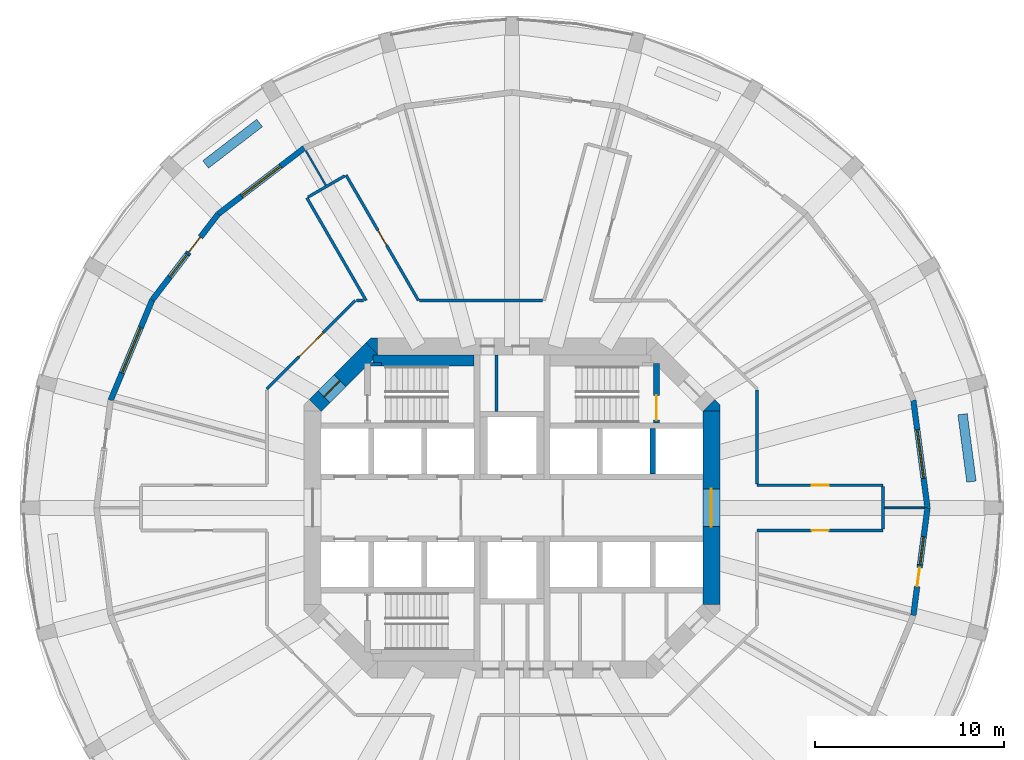
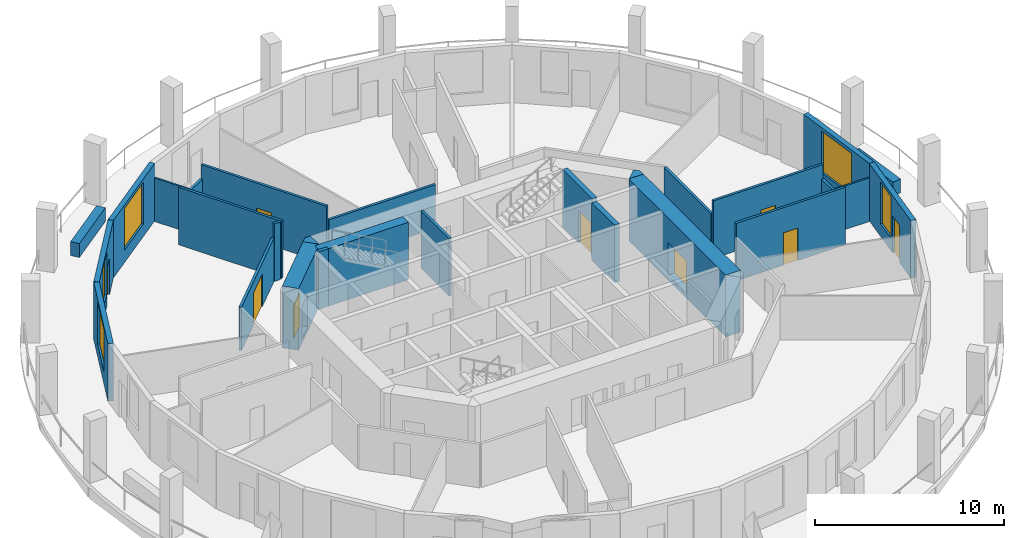
# One storey, part 5 of 9: 28 walls, 9 doors, 5 windows, 14 openings.
"""IFC4 building model written with IfcOpenShell, lengths in metres."""

from ifc_helpers import new_model, si_unit, direction, frame, frame_2d, origin, place, context, subcontext, project, spatial, polyline, rectangle, outline, extrude, material, layer, layer_set, type_object, element, fill, save


model = new_model("IFC4")

# Units and contexts
model_context = context("Model", 3, precision=1e-05, world=origin(), true_north=direction((0.0, 1.0)))
body_context = subcontext(model_context, "Body", "Model", "MODEL_VIEW")
ifc_project = project(units=[si_unit("LENGTHUNIT", "METRE"), si_unit("AREAUNIT", "SQUARE_METRE"), si_unit("VOLUMEUNIT", "CUBIC_METRE"), si_unit("PLANEANGLEUNIT", "RADIAN"), si_unit("MASSUNIT", "GRAM", prefix="KILO")], contexts=[model_context])

# Site, building, storey
site_placement = place(None, origin())
site = spatial("IfcSite", under=ifc_project, at=site_placement, CompositionType="ELEMENT")
building_placement = place(site_placement, origin())
building = spatial("IfcBuilding", under=site, at=building_placement, Name="Torre Triforio", CompositionType="ELEMENT")
storey_placement = place(building_placement, frame((0.0, 0.0, 98.60009765625)))
storey = spatial("IfcBuildingStorey", under=building, at=storey_placement, Name="L21", CompositionType="ELEMENT", Elevation=98.60009765625)

# Wall, opening, door
ifc_material_1 = material(Name="Concrete C60", Category="concrete")
ifc_layer_1 = layer(ifc_material_1, 0.89990234375)
ifc_layer_set_1 = layer_set([ifc_layer_1], Name="Concrete C60")
wall_type_1 = type_object("IfcWallType", Name="Core wall 900 mm C60 EI 120", PredefinedType="SHEAR", material=ifc_layer_set_1)
wall_1_placement = place(storey_placement, frame((10.550048828125, -5.1298828125, -0.280029296875), z_axis=(0.0, 0.0, 1.0), x_axis=(0.0, 1.0, 0.0)))
wall_1 = element("IfcWall", 1, at=wall_1_placement, inside=storey, type_object=wall_type_1, Name="Core wall", PredefinedType="SHEAR", context=body_context, shape_type="SweptSolid", body=[
    extrude(rectangle(XDim=10.259765625, YDim=0.89990234375, at=frame_2d((5.1298828125, 0.0))), origin(), (0.0, 0.0, 1.0), 4.0),
])
opening_1_placement = place(wall_1_placement, frame((4.1298828125, 0.0, 0.280029296875)))
opening_1 = element("IfcOpeningElement", 2, at=opening_1_placement, cuts=wall_1, Name="Opening E-RING", PredefinedType="OPENING", context=body_context, shape_type="SweptSolid", body=[
    extrude(rectangle(XDim=2.0, YDim=2.10009765625, at=frame_2d((1.0, 1.050048828125))), frame((0.0, 0.4599609375, 0.0), z_axis=(0.0, -1.0, 0.0), x_axis=(1.0, 0.0, 0.0)), (0.0, 0.0, 1.0), 0.919921875),
])
ifc_material_2 = material(Name="Hollow metal fire door leaf")
door_type_1 = type_object("IfcDoorType", Name="Lobby door 2000 x 2100 EI 60", OperationType="DOUBLE_DOOR_SINGLE_SWING", PredefinedType="DOOR", material=ifc_material_2)
door_1_placement = place(opening_1_placement, origin())
door_1 = element("IfcDoor", 3, at=door_1_placement, inside=storey, type_object=door_type_1, Name="Core door E-RING", OperationType="DOUBLE_DOOR_SINGLE_SWING", OverallHeight=2.10009765625, OverallWidth=2.0, PredefinedType="DOOR", context=body_context, shape_type="SweptSolid", body=[
    extrude(rectangle(XDim=2.0, YDim=2.10009765625, at=frame_2d((1.0, 1.050048828125))), frame((0.0, 0.02490234375, 0.0), z_axis=(0.0, -1.0, 0.0), x_axis=(1.0, 0.0, 0.0)), (0.0, 0.0, 1.0), 0.050048828125),
])
fill(opening_1, door_1)

wall_2_placement = place(storey_placement, frame((-10.418212890625, 5.418212890625, -0.280029296875), z_axis=(0.0, 0.0, 1.0), x_axis=(0.707106781187, 0.707106781187, 0.0)))
wall_2 = element("IfcWall", 4, at=wall_2_placement, inside=storey, type_object=wall_type_1, Name="Core wall", PredefinedType="SHEAR", context=body_context, shape_type="SweptSolid", body=[
    extrude(rectangle(XDim=4.24267578125, YDim=0.89990234375, at=frame_2d((2.121337890625, 0.0))), origin(), (0.0, 0.0, 1.0), 4.0),
])
opening_2_placement = place(wall_2_placement, frame((0.64990234375, 0.0, 0.280029296875)))
opening_2 = element("IfcOpeningElement", 5, at=opening_2_placement, cuts=wall_2, Name="Opening ST1-EXIT", PredefinedType="OPENING", context=body_context, shape_type="SweptSolid", body=[
    extrude(rectangle(XDim=1.199951171875, YDim=2.10009765625, at=frame_2d((0.60009765625, 1.050048828125))), frame((0.0, 0.4599609375, 0.0), z_axis=(0.0, -1.0, 0.0), x_axis=(1.0, 0.0, 0.0)), (0.0, 0.0, 1.0), 0.919921875),
])
door_type_2 = type_object("IfcDoorType", Name="Stair lobby door 1200 x 2100 EI 60", OperationType="NOTDEFINED", PredefinedType="DOOR", material=ifc_material_2)
door_2_placement = place(opening_2_placement, origin())
door_2 = element("IfcDoor", 6, at=door_2_placement, inside=storey, type_object=door_type_2, Name="Core door ST1-EXIT", OperationType="SINGLE_SWING_RIGHT", OverallHeight=2.10009765625, OverallWidth=1.199951171875, PredefinedType="DOOR", context=body_context, shape_type="SweptSolid", body=[
    extrude(rectangle(XDim=1.199951171875, YDim=2.10009765625, at=frame_2d((0.60009765625, 1.050048828125))), frame((0.0, 0.02490234375, 0.0), z_axis=(0.0, -1.0, 0.0), x_axis=(1.0, 0.0, 0.0)), (0.0, 0.0, 1.0), 0.050048828125),
])
fill(opening_2, door_2)

# Walls
wall_3_placement = place(storey_placement, frame((0.0, 0.0, -0.280029296875)))
element("IfcWall", 7, at=wall_3_placement, inside=storey, type_object=wall_type_1, Name="Core wall", PredefinedType="SHEAR", context=body_context, shape_type="SweptSolid", body=[
    extrude(outline(polyline([(11.0, 5.472900390625), (11.0, 5.1298828125), (10.1298828125, 5.1298828125), (10.736328125, 5.736328125), (11.0, 5.472900390625)])), origin(), (0.0, 0.0, 1.0), 4.0),
])
wall_4_placement = place(storey_placement, frame((0.0, 0.0, -0.280029296875)))
element("IfcWall", 8, at=wall_4_placement, inside=storey, type_object=wall_type_1, Name="Core wall", PredefinedType="SHEAR", context=body_context, shape_type="SweptSolid", body=[
    extrude(outline(polyline([(-7.472900390625, 9.0), (-7.1298828125, 9.0), (-7.1298828125, 8.1298828125), (-7.736328125, 8.736328125), (-7.472900390625, 9.0)])), origin(), (0.0, 0.0, 1.0), 4.0),
])

# Wall, opening, door
ifc_material_3 = material(Name="Plasterboard on metal studs")
ifc_layer_2 = layer(ifc_material_3, 0.14990234375)
ifc_layer_set_2 = layer_set([ifc_layer_2], Name="Plasterboard on metal studs")
wall_type_2 = type_object("IfcWallType", Name="Corridor and tenancy wall 150 mm EI 60", PredefinedType="PARTITIONING", material=ifc_layer_set_2)
wall_5_placement = place(storey_placement, frame((-12.97509765625, 6.291015625, 0.0), z_axis=(0.0, 0.0, 1.0), x_axis=(0.707106781187, 0.707106781187, 0.0)))
wall_5 = element("IfcWall", 9, at=wall_5_placement, inside=storey, type_object=wall_type_2, Name="Partition 7", PredefinedType="PARTITIONING", context=body_context, shape_type="SweptSolid", body=[
    extrude(rectangle(XDim=6.624267578125, YDim=0.14990234375, at=frame_2d((3.31201171875, 0.0))), origin(), (0.0, 0.0, 1.0), 2.81982421875),
])
opening_3_placement = place(wall_5_placement, frame((2.412109375, 0.0, 0.0)))
opening_3 = element("IfcOpeningElement", 10, at=opening_3_placement, cuts=wall_5, Name="Opening N7-01", PredefinedType="OPENING", context=body_context, shape_type="SweptSolid", body=[
    extrude(rectangle(XDim=1.800048828125, YDim=2.10009765625, at=frame_2d((0.89990234375, 1.050048828125))), frame((0.0, 0.0849609375, 0.0), z_axis=(0.0, -1.0, 0.0), x_axis=(1.0, 0.0, 0.0)), (0.0, 0.0, 1.0), 0.169921875),
])
ifc_material_4 = material(Name="Timber", Category="wood")
door_type_3 = type_object("IfcDoorType", Name="Door 1800 x 2100 double leaf EI 30", OperationType="DOUBLE_DOOR_SINGLE_SWING", PredefinedType="DOOR", material=ifc_material_4)
door_3_placement = place(opening_3_placement, origin())
door_3 = element("IfcDoor", 11, at=door_3_placement, inside=storey, type_object=door_type_3, Name="Door N7-01", OperationType="DOUBLE_DOOR_SINGLE_SWING", OverallHeight=2.10009765625, OverallWidth=1.800048828125, PredefinedType="DOOR", context=body_context, shape_type="SweptSolid", body=[
    extrude(rectangle(XDim=1.800048828125, YDim=2.10009765625, at=frame_2d((0.89990234375, 1.050048828125))), frame((0.0, 0.02490234375, 0.0), z_axis=(0.0, -1.0, 0.0), x_axis=(1.0, 0.0, 0.0)), (0.0, 0.0, 1.0), 0.050048828125),
])
fill(opening_3, door_3)

# Walls
wall_6_placement = place(storey_placement, frame((-8.23828125, 10.97509765625, 0.0), z_axis=(0.0, 0.0, 1.0), x_axis=(1.0, 0.0, 0.0)))
element("IfcWall", 12, at=wall_6_placement, inside=storey, type_object=wall_type_2, Name="Partition 8", PredefinedType="PARTITIONING", context=body_context, shape_type="SweptSolid", body=[
    extrude(rectangle(XDim=0.38623046875, YDim=0.14990234375, at=frame_2d((0.193115234375, 0.0))), origin(), (0.0, 0.0, 1.0), 3.719970703125),
])
wall_7_placement = place(storey_placement, frame((-7.72216796875, 10.97509765625, 0.0), z_axis=(0.0, 0.0, 1.0), x_axis=(-0.499988183684, 0.86603222583, 0.0)))
element("IfcWall", 13, at=wall_7_placement, inside=storey, type_object=wall_type_2, Name="Partition 9", PredefinedType="PARTITIONING", context=body_context, shape_type="SweptSolid", body=[
    extrude(rectangle(XDim=6.282958984375, YDim=0.14990234375, at=frame_2d((3.1416015625, 0.0))), origin(), (0.0, 0.0, 1.0), 3.719970703125),
])
wall_8_placement = place(storey_placement, frame((-10.798583984375, 16.453857421875, 0.0), z_axis=(0.0, 0.0, 1.0), x_axis=(0.866017533419, 0.500013631625, 0.0)))
element("IfcWall", 14, at=wall_8_placement, inside=storey, type_object=wall_type_2, Name="Partition 10", PredefinedType="PARTITIONING", context=body_context, shape_type="SweptSolid", body=[
    extrude(rectangle(XDim=2.25, YDim=0.14990234375, at=frame_2d((1.125, 0.0))), origin(), (0.0, 0.0, 1.0), 2.81982421875),
])

# Wall, opening, door
wall_9_placement = place(storey_placement, frame((-8.78515625, 17.6162109375, 0.0), z_axis=(0.0, 0.0, 1.0), x_axis=(0.500021918639, -0.866012748683, 0.0)))
wall_9 = element("IfcWall", 15, at=wall_9_placement, inside=storey, type_object=wall_type_2, Name="Partition 11", PredefinedType="PARTITIONING", context=body_context, shape_type="SweptSolid", body=[
    extrude(rectangle(XDim=7.668701171875, YDim=0.14990234375, at=frame_2d((3.83447265625, 0.0))), origin(), (0.0, 0.0, 1.0), 3.719970703125),
])
opening_4_placement = place(wall_9_placement, frame((3.38427734375, 0.0, 0.0)))
opening_4 = element("IfcOpeningElement", 16, at=opening_4_placement, cuts=wall_9, Name="Opening N7-14", PredefinedType="OPENING", context=body_context, shape_type="SweptSolid", body=[
    extrude(rectangle(XDim=0.89990234375, YDim=2.10009765625, at=frame_2d((0.449951171875, 1.050048828125))), frame((0.0, 0.0849609375, 0.0), z_axis=(0.0, -1.0, 0.0), x_axis=(1.0, 0.0, 0.0)), (0.0, 0.0, 1.0), 0.169921875),
])
door_type_4 = type_object("IfcDoorType", Name="Door 900 x 2100 single leaf EI 30", OperationType="NOTDEFINED", PredefinedType="DOOR", material=ifc_material_4)
door_4_placement = place(opening_4_placement, origin())
door_4 = element("IfcDoor", 17, at=door_4_placement, inside=storey, type_object=door_type_4, Name="Door N7-14", OperationType="SINGLE_SWING_RIGHT", OverallHeight=2.10009765625, OverallWidth=0.89990234375, PredefinedType="DOOR", context=body_context, shape_type="SweptSolid", body=[
    extrude(rectangle(XDim=0.89990234375, YDim=2.10009765625, at=frame_2d((0.449951171875, 1.050048828125))), frame((0.0, 0.02490234375, 0.0), z_axis=(0.0, -1.0, 0.0), x_axis=(1.0, 0.0, 0.0)), (0.0, 0.0, 1.0), 0.050048828125),
])
fill(opening_4, door_4)

# Walls
wall_10_placement = place(storey_placement, frame((-4.8857421875, 10.97509765625, 0.0), z_axis=(0.0, 0.0, 1.0), x_axis=(1.0, 0.0, 0.0)))
element("IfcWall", 18, at=wall_10_placement, inside=storey, type_object=wall_type_2, Name="Partition 12", PredefinedType="PARTITIONING", context=body_context, shape_type="SweptSolid", body=[
    extrude(rectangle(XDim=6.51171875, YDim=0.14990234375, at=frame_2d((3.255859375, 0.0))), origin(), (0.0, 0.0, 1.0), 2.81982421875),
])
wall_11_placement = place(storey_placement, frame((12.97509765625, 6.23828125, 0.0), z_axis=(0.0, 0.0, 1.0), x_axis=(0.0, -1.0, 0.0)))
element("IfcWall", 19, at=wall_11_placement, inside=storey, type_object=wall_type_2, Name="Partition 20", PredefinedType="PARTITIONING", context=body_context, shape_type="SweptSolid", body=[
    extrude(rectangle(XDim=4.96337890625, YDim=0.14990234375, at=frame_2d((2.481689453125, 0.0))), origin(), (0.0, 0.0, 1.0), 2.81982421875),
])

# Wall, opening, door
wall_12_placement = place(storey_placement, frame((12.97509765625, 1.199951171875, 0.0), z_axis=(0.0, 0.0, 1.0), x_axis=(1.0, 0.0, 0.0)))
wall_12 = element("IfcWall", 20, at=wall_12_placement, inside=storey, type_object=wall_type_2, Name="Partition 21", PredefinedType="PARTITIONING", context=body_context, shape_type="SweptSolid", body=[
    extrude(rectangle(XDim=6.673583984375, YDim=0.14990234375, at=frame_2d((3.3369140625, 0.0))), origin(), (0.0, 0.0, 1.0), 3.719970703125),
])
opening_5_placement = place(wall_12_placement, frame((2.886962890625, 0.0, 0.0)))
opening_5 = element("IfcOpeningElement", 21, at=opening_5_placement, cuts=wall_12, Name="Opening N7-09", PredefinedType="OPENING", context=body_context, shape_type="SweptSolid", body=[
    extrude(rectangle(XDim=0.89990234375, YDim=2.10009765625, at=frame_2d((0.449951171875, 1.050048828125))), frame((0.0, 0.0849609375, 0.0), z_axis=(0.0, -1.0, 0.0), x_axis=(1.0, 0.0, 0.0)), (0.0, 0.0, 1.0), 0.169921875),
])
door_5_placement = place(opening_5_placement, origin())
door_5 = element("IfcDoor", 22, at=door_5_placement, inside=storey, type_object=door_type_4, Name="Door N7-09", OperationType="SINGLE_SWING_RIGHT", OverallHeight=2.10009765625, OverallWidth=0.89990234375, PredefinedType="DOOR", context=body_context, shape_type="SweptSolid", body=[
    extrude(rectangle(XDim=0.89990234375, YDim=2.10009765625, at=frame_2d((0.449951171875, 1.050048828125))), frame((0.0, 0.02490234375, 0.0), z_axis=(0.0, -1.0, 0.0), x_axis=(1.0, 0.0, 0.0)), (0.0, 0.0, 1.0), 0.050048828125),
])
fill(opening_5, door_5)

# Wall
wall_13_placement = place(storey_placement, frame((19.648681640625, 1.125, 0.0), z_axis=(0.0, 0.0, 1.0), x_axis=(0.0, -1.0, 0.0)))
element("IfcWall", 23, at=wall_13_placement, inside=storey, type_object=wall_type_2, Name="Partition 22", PredefinedType="PARTITIONING", context=body_context, shape_type="SweptSolid", body=[
    extrude(rectangle(XDim=2.25, YDim=0.14990234375, at=frame_2d((1.125, 0.0))), origin(), (0.0, 0.0, 1.0), 2.81982421875),
])

# Wall, opening, door
wall_14_placement = place(storey_placement, frame((19.648681640625, -1.199951171875, 0.0), z_axis=(0.0, 0.0, 1.0), x_axis=(-1.0, 0.0, 0.0)))
wall_14 = element("IfcWall", 24, at=wall_14_placement, inside=storey, type_object=wall_type_2, Name="Partition 23", PredefinedType="PARTITIONING", context=body_context, shape_type="SweptSolid", body=[
    extrude(rectangle(XDim=6.673583984375, YDim=0.14990234375, at=frame_2d((3.3369140625, 0.0))), origin(), (0.0, 0.0, 1.0), 3.719970703125),
])
opening_6_placement = place(wall_14_placement, frame((2.886962890625, 0.0, 0.0)))
opening_6 = element("IfcOpeningElement", 25, at=opening_6_placement, cuts=wall_14, Name="Opening N7-08", PredefinedType="OPENING", context=body_context, shape_type="SweptSolid", body=[
    extrude(rectangle(XDim=0.89990234375, YDim=2.10009765625, at=frame_2d((0.449951171875, 1.050048828125))), frame((0.0, 0.0849609375, 0.0), z_axis=(0.0, -1.0, 0.0), x_axis=(1.0, 0.0, 0.0)), (0.0, 0.0, 1.0), 0.169921875),
])
door_6_placement = place(opening_6_placement, origin())
door_6 = element("IfcDoor", 26, at=door_6_placement, inside=storey, type_object=door_type_4, Name="Door N7-08", OperationType="SINGLE_SWING_RIGHT", OverallHeight=2.10009765625, OverallWidth=0.89990234375, PredefinedType="DOOR", context=body_context, shape_type="SweptSolid", body=[
    extrude(rectangle(XDim=0.89990234375, YDim=2.10009765625, at=frame_2d((0.449951171875, 1.050048828125))), frame((0.0, 0.02490234375, 0.0), z_axis=(0.0, -1.0, 0.0), x_axis=(1.0, 0.0, 0.0)), (0.0, 0.0, 1.0), 0.050048828125),
])
fill(opening_6, door_6)

# Walls
ifc_layer_3 = layer(ifc_material_3, 0.10009765625)
ifc_layer_set_3 = layer_set([ifc_layer_3], Name="Plasterboard on metal studs")
wall_type_3 = type_object("IfcWallType", Name="Partition 100 mm board on metal studs", PredefinedType="PARTITIONING", material=ifc_layer_set_3)
for number, where, z_axis, x_axis, name in (
    (27, (19.7236328125, 0.0, 0.0), (0.0, 0.0, 1.0), (1.0, 0.0, 0.0), "Partition 31"),
    (28, (-9.86181640625, 17.081298828125, 0.0), (0.0, 0.0, 1.0), (-0.500065834316, 0.865987390988, 0.0), "Partition 37"),
):
    element("IfcWall", number, at=place(storey_placement, frame(where, z_axis=z_axis, x_axis=x_axis)), inside=storey, type_object=wall_type_3, Name=name, PredefinedType="PARTITIONING", context=body_context, shape_type="SweptSolid", body=[
        extrude(rectangle(XDim=2.113037109375, YDim=0.10009765625, at=frame_2d((1.056640625, 0.0))), origin(), (0.0, 0.0, 1.0), 2.81982421875),
    ])
ifc_material_5 = material(Name="Block and board partition")
ifc_layer_4 = layer(ifc_material_5, 0.14990234375)
ifc_layer_set_4 = layer_set([ifc_layer_4], Name="Block and board partition")
wall_type_4 = type_object("IfcWallType", Name="Partition 150 mm EI 120", PredefinedType="PARTITIONING", material=ifc_layer_set_4)
wall_15_placement = place(storey_placement, frame((-0.824951171875, 5.10009765625, 0.0), z_axis=(0.0, 0.0, 1.0), x_axis=(0.0, 1.0, 0.0)))
element("IfcWall", 29, at=wall_15_placement, inside=storey, type_object=wall_type_4, Name="Partition", PredefinedType="PARTITIONING", context=body_context, shape_type="SweptSolid", body=[
    extrude(rectangle(XDim=3.0, YDim=0.14990234375, at=frame_2d((1.5, 0.0))), origin(), (0.0, 0.0, 1.0), 3.719970703125),
])
ifc_material_6 = material(Name="Limestone cladding", Category="masonry")
ifc_layer_5 = layer(ifc_material_6, 0.10009765625)
ifc_material_7 = material(Name="Concrete C40", Category="concrete")
ifc_layer_6 = layer(ifc_material_7, 0.39990234375)
ifc_layer_set_5 = layer_set([ifc_layer_5, ifc_layer_6], Name="Limestone cladding / Concrete C40")
wall_type_5 = type_object("IfcWallType", Name="Planter wall 500", PredefinedType="PARAPET", material=ifc_layer_set_5)
for number, where, z_axis, x_axis, name in (
    (30, (24.3271484375, 1.38720703125, 0.0), (0.0, 0.0, 1.0), (-0.130551000099, 0.991441595039, 0.0), "Planter L21 bay 01"),
    (31, (-13.364990234375, 20.374267578125, 0.0), (0.0, 0.0, 1.0), (-0.793326845617, -0.608795955984, 0.0), "Planter L21 bay 09"),
):
    element("IfcWall", number, at=place(storey_placement, frame(where, z_axis=z_axis, x_axis=x_axis)), inside=storey, type_object=wall_type_5, Name=name, PredefinedType="PARAPET", context=body_context, shape_type="SweptSolid", body=[
        extrude(rectangle(XDim=3.599853515625, YDim=0.5, at=frame_2d((1.7998046875, 0.0))), origin(), (0.0, 0.0, 1.0), 0.89990234375),
    ])
ifc_layer_7 = layer(ifc_material_1, 0.300048828125)
ifc_layer_set_6 = layer_set([ifc_layer_7], Name="Concrete C60")
wall_type_6 = type_object("IfcWallType", Name="Shaft wall 300 mm C60 EI 120", PredefinedType="SOLIDWALL", material=ifc_layer_set_6)
wall_16_placement = place(storey_placement, frame((7.449951171875, 1.800048828125, 0.0), z_axis=(0.0, 0.0, 1.0), x_axis=(0.0, 1.0, 0.0)))
element("IfcWall", 32, at=wall_16_placement, inside=storey, type_object=wall_type_6, Name="Shaft wall", PredefinedType="SOLIDWALL", context=body_context, shape_type="SweptSolid", body=[
    extrude(rectangle(XDim=2.39990234375, YDim=0.300048828125, at=frame_2d((1.199951171875, 0.0))), origin(), (0.0, 0.0, 1.0), 3.719970703125),
])
ifc_layer_8 = layer(ifc_material_1, 0.199951171875)
ifc_layer_set_7 = layer_set([ifc_layer_8], Name="Concrete C60")
wall_type_7 = type_object("IfcWallType", Name="Stair wall 200 mm C60 EI 120", PredefinedType="SHEAR", material=ifc_layer_set_7)
wall_17_placement = place(storey_placement, frame((-7.5, 7.60009765625, 0.0), z_axis=(0.0, 0.0, 1.0), x_axis=(1.0, 0.0, 0.0)))
element("IfcWall", 33, at=wall_17_placement, inside=storey, type_object=wall_type_7, Name="Stair wall", PredefinedType="SHEAR", context=body_context, shape_type="SweptSolid", body=[
    extrude(rectangle(XDim=0.60009765625, YDim=0.199951171875, at=frame_2d((0.300048828125, 0.0))), origin(), (0.0, 0.0, 1.0), 3.719970703125),
])

# Wall, opening, door
ifc_layer_9 = layer(ifc_material_1, 0.300048828125)
ifc_layer_set_8 = layer_set([ifc_layer_9], Name="Concrete C60")
wall_type_8 = type_object("IfcWallType", Name="Stair wall 300 mm C60 EI 120", PredefinedType="SHEAR", material=ifc_layer_set_8)
wall_18_placement = place(storey_placement, frame((7.64990234375, 4.5, 0.0), z_axis=(0.0, 0.0, 1.0), x_axis=(0.0, 1.0, 0.0)))
wall_18 = element("IfcWall", 34, at=wall_18_placement, inside=storey, type_object=wall_type_8, Name="Stair wall", PredefinedType="SHEAR", context=body_context, shape_type="SweptSolid", body=[
    extrude(rectangle(XDim=3.139892578125, YDim=0.300048828125, at=frame_2d((1.56982421875, 0.0))), origin(), (0.0, 0.0, 1.0), 3.719970703125),
])
opening_7_placement = place(wall_18_placement, frame((0.139892578125, 0.0, 0.0)))
opening_7 = element("IfcOpeningElement", 35, at=opening_7_placement, cuts=wall_18, Name="Opening ST2-STA", PredefinedType="OPENING", context=body_context, shape_type="SweptSolid", body=[
    extrude(rectangle(XDim=1.320068359375, YDim=2.10009765625, at=frame_2d((0.66015625, 1.050048828125))), frame((0.0, 0.159912109375, 0.0), z_axis=(0.0, -1.0, 0.0), x_axis=(1.0, 0.0, 0.0)), (0.0, 0.0, 1.0), 0.320068359375),
])
door_type_5 = type_object("IfcDoorType", Name="Stair door 1320 x 2100 EI 90", OperationType="DOUBLE_DOOR_SINGLE_SWING", PredefinedType="DOOR", material=ifc_material_2)
door_7_placement = place(opening_7_placement, origin())
door_7 = element("IfcDoor", 36, at=door_7_placement, inside=storey, type_object=door_type_5, Name="Core door ST2-ST", OperationType="DOUBLE_DOOR_SINGLE_SWING", OverallHeight=2.10009765625, OverallWidth=1.320068359375, PredefinedType="DOOR", context=body_context, shape_type="SweptSolid", body=[
    extrude(rectangle(XDim=1.320068359375, YDim=2.10009765625, at=frame_2d((0.66015625, 1.050048828125))), frame((0.0, 0.02490234375, 0.0), z_axis=(0.0, -1.0, 0.0), x_axis=(1.0, 0.0, 0.0)), (0.0, 0.0, 1.0), 0.050048828125),
])
fill(opening_7, door_7)

# Wall
ifc_layer_10 = layer(ifc_material_1, 0.60009765625)
ifc_layer_set_9 = layer_set([ifc_layer_10], Name="Concrete C60")
wall_type_9 = type_object("IfcWallType", Name="Stair wall 600 mm C60 EI 120", PredefinedType="SHEAR", material=ifc_layer_set_9)
wall_19_placement = place(storey_placement, frame((-7.3701171875, 7.800048828125, 0.0), z_axis=(0.0, 0.0, 1.0), x_axis=(1.0, 0.0, 0.0)))
element("IfcWall", 37, at=wall_19_placement, inside=storey, type_object=wall_type_9, Name="Stair wall", PredefinedType="SHEAR", context=body_context, shape_type="SweptSolid", body=[
    extrude(rectangle(XDim=5.3701171875, YDim=0.60009765625, at=frame_2d((2.68505859375, 0.0))), origin(), (0.0, 0.0, 1.0), 3.719970703125),
])

# Wall, opening, window
ifc_layer_11 = layer(ifc_material_6, 0.10009765625)
ifc_layer_12 = layer(ifc_material_7, 0.199951171875)
ifc_layer_set_10 = layer_set([ifc_layer_11, ifc_layer_12], Name="Limestone cladding / Concrete C40")
wall_type_10 = type_object("IfcWallType", Name="Stone-faced composite wall 300", PredefinedType="STANDARD", material=ifc_layer_set_10)
wall_20_placement = place(storey_placement, frame((22.0, 0.0, 0.0), z_axis=(0.0, 0.0, 1.0), x_axis=(-0.130503995834, 0.991447783331, 0.0)))
wall_20 = element("IfcWall", 38, at=wall_20_placement, inside=storey, type_object=wall_type_10, Name="External wall L21 bay 01", PredefinedType="STANDARD", context=body_context, shape_type="SweptSolid", body=[
    extrude(rectangle(XDim=5.7431640625, YDim=0.300048828125, at=frame_2d((2.87158203125, 0.0))), origin(), (0.0, 0.0, 1.0), 3.719970703125),
])
opening_8_placement = place(wall_20_placement, frame((1.571533203125, 0.0, 0.800048828125)))
opening_8 = element("IfcOpeningElement", 39, at=opening_8_placement, cuts=wall_20, Name="Opening N7-W01", PredefinedType="OPENING", context=body_context, shape_type="SweptSolid", body=[
    extrude(rectangle(XDim=2.60009765625, YDim=2.699951171875, at=frame_2d((1.300048828125, 1.35009765625))), frame((0.0, 0.159912109375, 0.0), z_axis=(0.0, -1.0, 0.0), x_axis=(1.0, 0.0, 0.0)), (0.0, 0.0, 1.0), 0.320068359375),
])
ifc_material_8 = material(Name="Aluminium frame with clear double glazing", Category="aluminium")
window_type_1 = type_object("IfcWindowType", Name="Punched window 2600 x 2700", PartitioningType="DOUBLE_PANEL_VERTICAL", PredefinedType="WINDOW", material=ifc_material_8)
window_1_placement = place(opening_8_placement, origin())
window_1 = element("IfcWindow", 40, at=window_1_placement, inside=storey, type_object=window_type_1, Name="Window EWN2 L21 bay 01", OverallHeight=2.699951171875, OverallWidth=2.60009765625, PartitioningType="SINGLE_PANEL", PredefinedType="WINDOW", context=body_context, shape_type="SweptSolid", body=[
    extrude(rectangle(XDim=2.60009765625, YDim=2.699951171875, at=frame_2d((1.300048828125, 1.35009765625))), frame((0.0, 0.030029296875, 0.0), z_axis=(0.0, -1.0, 0.0), x_axis=(1.0, 0.0, 0.0)), (0.0, 0.0, 1.0), 0.06005859375),
])
fill(opening_8, window_1)

wall_21_placement = place(storey_placement, frame((-11.0, 19.052490234375, 0.0), z_axis=(0.0, 0.0, 1.0), x_axis=(-0.793366142647, -0.608744744291, 0.0)))
wall_21 = element("IfcWall", 41, at=wall_21_placement, inside=storey, type_object=wall_type_10, Name="External wall L21 bay 09", PredefinedType="STANDARD", context=body_context, shape_type="SweptSolid", body=[
    extrude(rectangle(XDim=5.7431640625, YDim=0.300048828125, at=frame_2d((2.87158203125, 0.0))), origin(), (0.0, 0.0, 1.0), 3.719970703125),
])
opening_9_placement = place(wall_21_placement, frame((1.571533203125, 0.0, 0.800048828125)))
opening_9 = element("IfcOpeningElement", 42, at=opening_9_placement, cuts=wall_21, Name="Opening N7-W09", PredefinedType="OPENING", context=body_context, shape_type="SweptSolid", body=[
    extrude(rectangle(XDim=2.60009765625, YDim=2.699951171875, at=frame_2d((1.300048828125, 1.35009765625))), frame((0.0, 0.159912109375, 0.0), z_axis=(0.0, -1.0, 0.0), x_axis=(1.0, 0.0, 0.0)), (0.0, 0.0, 1.0), 0.320068359375),
])
window_2_placement = place(opening_9_placement, origin())
window_2 = element("IfcWindow", 43, at=window_2_placement, inside=storey, type_object=window_type_1, Name="Window EWN2 L21 bay 09", OverallHeight=2.699951171875, OverallWidth=2.60009765625, PartitioningType="SINGLE_PANEL", PredefinedType="WINDOW", context=body_context, shape_type="SweptSolid", body=[
    extrude(rectangle(XDim=2.60009765625, YDim=2.699951171875, at=frame_2d((1.300048828125, 1.35009765625))), frame((0.0, 0.030029296875, 0.0), z_axis=(0.0, -1.0, 0.0), x_axis=(1.0, 0.0, 0.0)), (0.0, 0.0, 1.0), 0.06005859375),
])
fill(opening_9, window_2)

# Wall, openings, door, window
wall_22_placement = place(storey_placement, frame((-15.556396484375, 15.556396484375, 0.0), z_axis=(0.0, 0.0, 1.0), x_axis=(-0.608744744291, -0.793366142647, 0.0)))
wall_22 = element("IfcWall", 44, at=wall_22_placement, inside=storey, type_object=wall_type_10, Name="External wall L21 bay 10", PredefinedType="STANDARD", context=body_context, shape_type="SweptSolid", body=[
    extrude(rectangle(XDim=5.7431640625, YDim=0.300048828125, at=frame_2d((2.87158203125, 0.0))), origin(), (0.0, 0.0, 1.0), 3.719970703125),
])
opening_10_placement = place(wall_22_placement, frame((1.546630859375, 0.0, 0.0)))
opening_10 = element("IfcOpeningElement", 45, at=opening_10_placement, cuts=wall_22, Name="Opening N7-D10", PredefinedType="OPENING", context=body_context, shape_type="SweptSolid", body=[
    extrude(rectangle(XDim=1.0, YDim=2.39990234375, at=frame_2d((0.5, 1.199951171875))), frame((0.0, 0.159912109375, 0.0), z_axis=(0.0, -1.0, 0.0), x_axis=(1.0, 0.0, 0.0)), (0.0, 0.0, 1.0), 0.320068359375),
])
opening_11_placement = place(wall_22_placement, frame((2.696533203125, 0.0, 0.800048828125)))
opening_11 = element("IfcOpeningElement", 46, at=opening_11_placement, cuts=wall_22, Name="Opening N7-W10A", PredefinedType="OPENING", context=body_context, shape_type="SweptSolid", body=[
    extrude(rectangle(XDim=1.5, YDim=2.699951171875, at=frame_2d((0.75, 1.35009765625))), frame((0.0, 0.159912109375, 0.0), z_axis=(0.0, -1.0, 0.0), x_axis=(1.0, 0.0, 0.0)), (0.0, 0.0, 1.0), 0.320068359375),
])
door_type_6 = type_object("IfcDoorType", Name="Loggia door 1000 x 2400", OperationType="NOTDEFINED", PredefinedType="DOOR", material=ifc_material_8)
door_8_placement = place(opening_10_placement, origin())
door_8 = element("IfcDoor", 47, at=door_8_placement, inside=storey, type_object=door_type_6, Name="Loggia door L21 bay 10", OperationType="SINGLE_SWING_LEFT", OverallHeight=2.39990234375, OverallWidth=1.0, PredefinedType="DOOR", context=body_context, shape_type="SweptSolid", body=[
    extrude(rectangle(XDim=1.0, YDim=2.39990234375, at=frame_2d((0.5, 1.199951171875))), frame((0.0, 0.02490234375, 0.0), z_axis=(0.0, -1.0, 0.0), x_axis=(1.0, 0.0, 0.0)), (0.0, 0.0, 1.0), 0.050048828125),
])
fill(opening_10, door_8)
window_type_2 = type_object("IfcWindowType", Name="Side window 1500 x 2700", PartitioningType="SINGLE_PANEL", PredefinedType="WINDOW", material=ifc_material_8)
window_3_placement = place(opening_11_placement, origin())
window_3 = element("IfcWindow", 48, at=window_3_placement, inside=storey, type_object=window_type_2, Name="Side window EWN12 L21 bay 10", OverallHeight=2.699951171875, OverallWidth=1.5, PartitioningType="SINGLE_PANEL", PredefinedType="WINDOW", context=body_context, shape_type="SweptSolid", body=[
    extrude(rectangle(XDim=1.5, YDim=2.699951171875, at=frame_2d((0.75, 1.35009765625))), frame((0.0, 0.030029296875, 0.0), z_axis=(0.0, -1.0, 0.0), x_axis=(1.0, 0.0, 0.0)), (0.0, 0.0, 1.0), 0.06005859375),
])
fill(opening_11, window_3)

# Wall, opening, window
wall_23_placement = place(storey_placement, frame((-19.052490234375, 11.0, 0.0), z_axis=(0.0, 0.0, 1.0), x_axis=(-0.382715966503, -0.923866055759, 0.0)))
wall_23 = element("IfcWall", 49, at=wall_23_placement, inside=storey, type_object=wall_type_10, Name="External wall L21 bay 11", PredefinedType="STANDARD", context=body_context, shape_type="SweptSolid", body=[
    extrude(rectangle(XDim=5.7431640625, YDim=0.300048828125, at=frame_2d((2.87158203125, 0.0))), origin(), (0.0, 0.0, 1.0), 3.719970703125),
])
opening_12_placement = place(wall_23_placement, frame((1.571533203125, 0.0, 0.800048828125)))
opening_12 = element("IfcOpeningElement", 50, at=opening_12_placement, cuts=wall_23, Name="Opening N7-W11", PredefinedType="OPENING", context=body_context, shape_type="SweptSolid", body=[
    extrude(rectangle(XDim=2.60009765625, YDim=2.699951171875, at=frame_2d((1.300048828125, 1.35009765625))), frame((0.0, 0.159912109375, 0.0), z_axis=(0.0, -1.0, 0.0), x_axis=(1.0, 0.0, 0.0)), (0.0, 0.0, 1.0), 0.320068359375),
])
window_4_placement = place(opening_12_placement, origin())
window_4 = element("IfcWindow", 51, at=window_4_placement, inside=storey, type_object=window_type_1, Name="Window EWN2 L21 bay 11", OverallHeight=2.699951171875, OverallWidth=2.60009765625, PartitioningType="SINGLE_PANEL", PredefinedType="WINDOW", context=body_context, shape_type="SweptSolid", body=[
    extrude(rectangle(XDim=2.60009765625, YDim=2.699951171875, at=frame_2d((1.300048828125, 1.35009765625))), frame((0.0, 0.030029296875, 0.0), z_axis=(0.0, -1.0, 0.0), x_axis=(1.0, 0.0, 0.0)), (0.0, 0.0, 1.0), 0.06005859375),
])
fill(opening_12, window_4)

# Wall, openings, door, window
wall_24_placement = place(storey_placement, frame((21.25048828125, -5.694091796875, 0.0), z_axis=(0.0, 0.0, 1.0), x_axis=(0.130503995834, 0.991447783331, 0.0)))
wall_24 = element("IfcWall", 52, at=wall_24_placement, inside=storey, type_object=wall_type_10, Name="External wall L21 bay 24", PredefinedType="STANDARD", context=body_context, shape_type="SweptSolid", body=[
    extrude(rectangle(XDim=5.7431640625, YDim=0.300048828125, at=frame_2d((2.87158203125, 0.0))), origin(), (0.0, 0.0, 1.0), 3.719970703125),
])
opening_13_placement = place(wall_24_placement, frame((1.546630859375, 0.0, 0.0)))
opening_13 = element("IfcOpeningElement", 53, at=opening_13_placement, cuts=wall_24, Name="Opening N7-D24", PredefinedType="OPENING", context=body_context, shape_type="SweptSolid", body=[
    extrude(rectangle(XDim=1.0, YDim=2.39990234375, at=frame_2d((0.5, 1.199951171875))), frame((0.0, 0.159912109375, 0.0), z_axis=(0.0, -1.0, 0.0), x_axis=(1.0, 0.0, 0.0)), (0.0, 0.0, 1.0), 0.320068359375),
])
opening_14_placement = place(wall_24_placement, frame((2.696533203125, 0.0, 0.800048828125)))
opening_14 = element("IfcOpeningElement", 54, at=opening_14_placement, cuts=wall_24, Name="Opening N7-W24A", PredefinedType="OPENING", context=body_context, shape_type="SweptSolid", body=[
    extrude(rectangle(XDim=1.5, YDim=2.699951171875, at=frame_2d((0.75, 1.35009765625))), frame((0.0, 0.159912109375, 0.0), z_axis=(0.0, -1.0, 0.0), x_axis=(1.0, 0.0, 0.0)), (0.0, 0.0, 1.0), 0.320068359375),
])
door_9_placement = place(opening_13_placement, origin())
door_9 = element("IfcDoor", 55, at=door_9_placement, inside=storey, type_object=door_type_6, Name="Loggia door L21 bay 24", OperationType="SINGLE_SWING_RIGHT", OverallHeight=2.39990234375, OverallWidth=1.0, PredefinedType="DOOR", context=body_context, shape_type="SweptSolid", body=[
    extrude(rectangle(XDim=1.0, YDim=2.39990234375, at=frame_2d((0.5, 1.199951171875))), frame((0.0, 0.02490234375, 0.0), z_axis=(0.0, -1.0, 0.0), x_axis=(1.0, 0.0, 0.0)), (0.0, 0.0, 1.0), 0.050048828125),
])
fill(opening_13, door_9)
window_5_placement = place(opening_14_placement, origin())
window_5 = element("IfcWindow", 56, at=window_5_placement, inside=storey, type_object=window_type_2, Name="Side window EWN12 L21 bay 24", OverallHeight=2.699951171875, OverallWidth=1.5, PartitioningType="SINGLE_PANEL", PredefinedType="WINDOW", context=body_context, shape_type="SweptSolid", body=[
    extrude(rectangle(XDim=1.5, YDim=2.699951171875, at=frame_2d((0.75, 1.35009765625))), frame((0.0, 0.030029296875, 0.0), z_axis=(0.0, -1.0, 0.0), x_axis=(1.0, 0.0, 0.0)), (0.0, 0.0, 1.0), 0.06005859375),
])
fill(opening_14, window_5)

save(model, "model.ifc")
